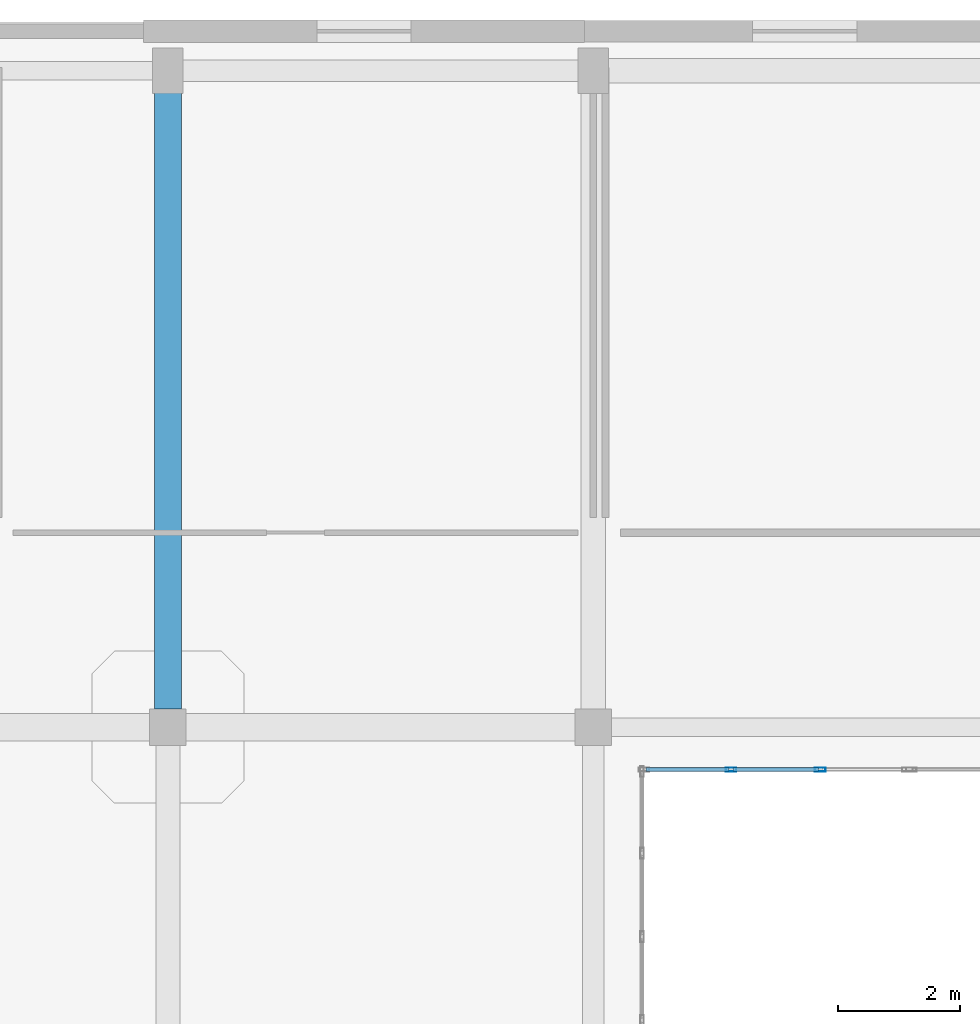
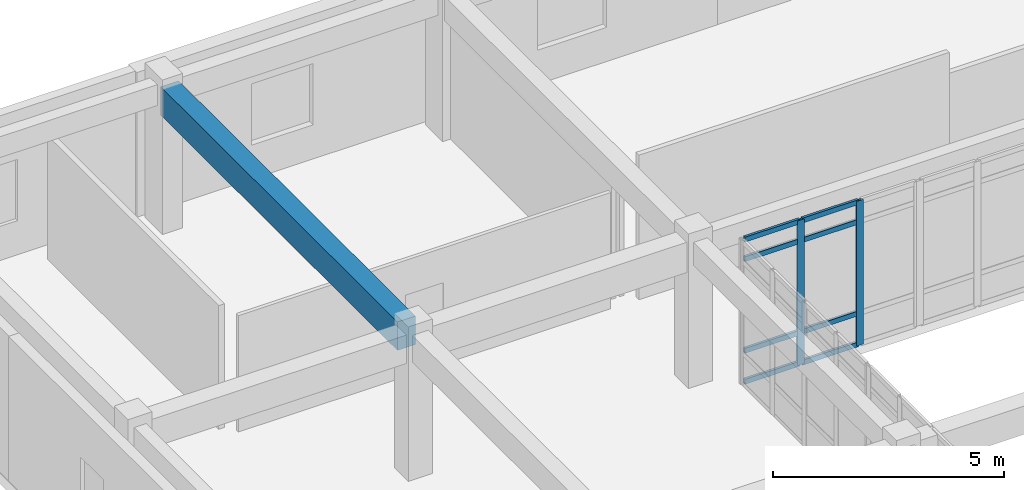
# One storey, part 101 of 146: 10 members, 1 beam, 1 element without a shape of its own.
"""IFC4 building model written with IfcOpenShell, lengths in metres."""

from ifc_helpers import new_model, si_unit, direction, frame, origin, origin_2d, place, context, subcontext, project, spatial, rectangle, hollow_rectangle, extrude, material, layer, layer_set, material_profile, profile_set, type_object, element, aggregate, save


model = new_model("IFC4")

# Units and contexts
model_context = context("Model", 3, precision=1e-05, world=origin(), true_north=direction((0.0, 1.0)))
body_context = subcontext(model_context, "Body", "Model", "MODEL_VIEW")
ifc_project = project(units=[si_unit("LENGTHUNIT", "METRE"), si_unit("AREAUNIT", "SQUARE_METRE"), si_unit("VOLUMEUNIT", "CUBIC_METRE"), si_unit("PLANEANGLEUNIT", "RADIAN"), si_unit("MASSUNIT", "GRAM", prefix="KILO")], contexts=[model_context])

# Site, building, storey
site_placement = place(None, origin())
site = spatial("IfcSite", under=ifc_project, at=site_placement, CompositionType="ELEMENT")
building_placement = place(site_placement, origin())
building = spatial("IfcBuilding", under=site, at=building_placement, Name="Valcora Specialist Clinic", CompositionType="ELEMENT")
storey_placement = place(building_placement, frame((0.0, 0.0, 9.52001953125)))
storey = spatial("IfcBuildingStorey", under=building, at=storey_placement, Name="L02", CompositionType="ELEMENT", Elevation=9.52001953125)

# Beam
ifc_material_1 = material(Name="Concrete C40/50", Category="concrete")
ifc_material_profile_1 = material_profile(ifc_material_1, rectangle(XDim=0.449951171875, YDim=0.75, at=origin_2d()), Name="RC-BM-450X750")
ifc_profile_set_1 = profile_set([ifc_material_profile_1], Name="Concrete C40/50")
beam_type = type_object("IfcBeamType", Name="TY-BM-RC450X750", PredefinedType="BEAM", material=ifc_profile_set_1)
beam_placement = place(storey_placement, frame((69.0, 99.5, 3.445068359375), z_axis=(0.0, 1.0, 0.0), x_axis=(-1.0, 0.0, 0.0)))
element("IfcBeam", 1, at=beam_placement, inside=storey, type_object=beam_type, Name="Beam BM-L02-0741", PredefinedType="BEAM", context=body_context, shape_type="SweptSolid", body=[
    extrude(rectangle(XDim=0.449951171875, YDim=0.75, at=origin_2d()), origin(), (0.0, 0.0, 1.0), 10.25),
])

# Curtain wall, members
ifc_material_2 = material(Name="Anodized Bronze Aluminium 6063-T6", Category="aluminium")
ifc_layer = layer(ifc_material_2, 0.175048828125)
ifc_layer_set = layer_set([ifc_layer], Name="Anodized Bronze Aluminium 6063-T6")
curtain_wall_type = type_object("IfcCurtainWallType", Name="TY-CW-CRT15", PredefinedType="NOTDEFINED", material=ifc_layer_set)
curtain_wall_placement = place(storey_placement, origin())
curtain_wall = element("IfcCurtainWall", 2, at=curtain_wall_placement, inside=storey, type_object=curtain_wall_type, Name="Curtain wall CW-L02-101", PredefinedType="NOTDEFINED")
ifc_material_profile_2 = material_profile(ifc_material_2, hollow_rectangle(XDim=0.06494140625, YDim=0.175048828125, WallThickness=0.00390625, at=origin_2d()), Name="AL-MUL-65X175")
ifc_profile_set_2 = profile_set([ifc_material_profile_2], Name="Anodized Bronze Aluminium 6063-T6")
member_type_1 = type_object("IfcMemberType", Name="TY-CWM-65X175", PredefinedType="MULLION", material=ifc_profile_set_2)
member_1_placement = place(storey_placement, frame((79.7333984375, 98.5, 0.0), z_axis=(0.0, 0.0, 1.0), x_axis=(0.0, -1.0, 0.0)))
member_1 = element("IfcMember", 3, at=member_1_placement, type_object=member_type_1, Name="CW-CRT-15 mullion 2", PredefinedType="MULLION", context=body_context, shape_type="SweptSolid", body=[
    extrude(hollow_rectangle(XDim=0.06494140625, YDim=0.175048828125, WallThickness=0.00390625, at=origin_2d()), origin(), (0.0, 0.0, 1.0), 3.820068359375),
])
member_2_placement = place(storey_placement, frame((78.2666015625, 98.5, 0.0), z_axis=(0.0, 0.0, 1.0), x_axis=(0.0, -1.0, 0.0)))
member_2 = element("IfcMember", 4, at=member_2_placement, type_object=member_type_1, Name="CW-CRT-15 mullion 3", PredefinedType="MULLION", context=body_context, shape_type="SweptSolid", body=[
    extrude(hollow_rectangle(XDim=0.06494140625, YDim=0.175048828125, WallThickness=0.00390625, at=origin_2d()), origin(), (0.0, 0.0, 1.0), 3.820068359375),
])
ifc_material_profile_3 = material_profile(ifc_material_2, hollow_rectangle(XDim=0.06494140625, YDim=0.1298828125, WallThickness=0.00390625, at=origin_2d()), Name="AL-TRN-65X130")
ifc_profile_set_3 = profile_set([ifc_material_profile_3], Name="Anodized Bronze Aluminium 6063-T6")
member_type_2 = type_object("IfcMemberType", Name="TY-CWT-65X130", PredefinedType="USERDEFINED", material=ifc_profile_set_3)
member_3_placement = place(storey_placement, frame((79.700927734375, 98.5, 0.032470703125), z_axis=(-1.0, 0.0, 0.0), x_axis=(0.0, -1.0, 0.0)))
member_3 = element("IfcMember", 5, at=member_3_placement, type_object=member_type_2, Name="CW-CRT-15 transom 2.1", ObjectType="TRANSOM", PredefinedType="USERDEFINED", context=body_context, shape_type="SweptSolid", body=[
    extrude(hollow_rectangle(XDim=0.06494140625, YDim=0.1298828125, WallThickness=0.00390625, at=origin_2d()), origin(), (0.0, 0.0, 1.0), 1.40185546875),
])
member_4_placement = place(storey_placement, frame((79.700927734375, 98.5, 0.85009765625), z_axis=(-1.0, 0.0, 0.0), x_axis=(0.0, -1.0, 0.0)))
member_4 = element("IfcMember", 6, at=member_4_placement, type_object=member_type_2, Name="CW-CRT-15 transom 2.2", ObjectType="TRANSOM", PredefinedType="USERDEFINED", context=body_context, shape_type="SweptSolid", body=[
    extrude(hollow_rectangle(XDim=0.06494140625, YDim=0.1298828125, WallThickness=0.00390625, at=origin_2d()), origin(), (0.0, 0.0, 1.0), 1.40185546875),
])
member_5_placement = place(storey_placement, frame((79.700927734375, 98.5, 3.27001953125), z_axis=(-1.0, 0.0, 0.0), x_axis=(0.0, -1.0, 0.0)))
member_5 = element("IfcMember", 7, at=member_5_placement, type_object=member_type_2, Name="CW-CRT-15 transom 2.3", ObjectType="TRANSOM", PredefinedType="USERDEFINED", context=body_context, shape_type="SweptSolid", body=[
    extrude(hollow_rectangle(XDim=0.06494140625, YDim=0.1298828125, WallThickness=0.00390625, at=origin_2d()), origin(), (0.0, 0.0, 1.0), 1.40185546875),
])
member_6_placement = place(storey_placement, frame((79.700927734375, 98.5, 3.78759765625), z_axis=(-1.0, 0.0, 0.0), x_axis=(0.0, -1.0, 0.0)))
member_6 = element("IfcMember", 8, at=member_6_placement, type_object=member_type_2, Name="CW-CRT-15 transom 2.4", ObjectType="TRANSOM", PredefinedType="USERDEFINED", context=body_context, shape_type="SweptSolid", body=[
    extrude(hollow_rectangle(XDim=0.06494140625, YDim=0.1298828125, WallThickness=0.00390625, at=origin_2d()), origin(), (0.0, 0.0, 1.0), 1.40185546875),
])
member_7_placement = place(storey_placement, frame((78.234130859375, 98.5, 0.032470703125), z_axis=(-1.0, 0.0, 0.0), x_axis=(0.0, -1.0, 0.0)))
member_7 = element("IfcMember", 9, at=member_7_placement, type_object=member_type_2, Name="CW-CRT-15 transom 3.1", ObjectType="TRANSOM", PredefinedType="USERDEFINED", context=body_context, shape_type="SweptSolid", body=[
    extrude(hollow_rectangle(XDim=0.06494140625, YDim=0.1298828125, WallThickness=0.00390625, at=origin_2d()), origin(), (0.0, 0.0, 1.0), 1.369140625),
])
member_8_placement = place(storey_placement, frame((78.234130859375, 98.5, 0.85009765625), z_axis=(-1.0, 0.0, 0.0), x_axis=(0.0, -1.0, 0.0)))
member_8 = element("IfcMember", 10, at=member_8_placement, type_object=member_type_2, Name="CW-CRT-15 transom 3.2", ObjectType="TRANSOM", PredefinedType="USERDEFINED", context=body_context, shape_type="SweptSolid", body=[
    extrude(hollow_rectangle(XDim=0.06494140625, YDim=0.1298828125, WallThickness=0.00390625, at=origin_2d()), origin(), (0.0, 0.0, 1.0), 1.369140625),
])
member_9_placement = place(storey_placement, frame((78.234130859375, 98.5, 3.27001953125), z_axis=(-1.0, 0.0, 0.0), x_axis=(0.0, -1.0, 0.0)))
member_9 = element("IfcMember", 11, at=member_9_placement, type_object=member_type_2, Name="CW-CRT-15 transom 3.3", ObjectType="TRANSOM", PredefinedType="USERDEFINED", context=body_context, shape_type="SweptSolid", body=[
    extrude(hollow_rectangle(XDim=0.06494140625, YDim=0.1298828125, WallThickness=0.00390625, at=origin_2d()), origin(), (0.0, 0.0, 1.0), 1.369140625),
])
member_10_placement = place(storey_placement, frame((78.234130859375, 98.5, 3.78759765625), z_axis=(-1.0, 0.0, 0.0), x_axis=(0.0, -1.0, 0.0)))
member_10 = element("IfcMember", 12, at=member_10_placement, type_object=member_type_2, Name="CW-CRT-15 transom 3.4", ObjectType="TRANSOM", PredefinedType="USERDEFINED", context=body_context, shape_type="SweptSolid", body=[
    extrude(hollow_rectangle(XDim=0.06494140625, YDim=0.1298828125, WallThickness=0.00390625, at=origin_2d()), origin(), (0.0, 0.0, 1.0), 1.369140625),
])
aggregate(curtain_wall, [member_1, member_2, member_3, member_4, member_5, member_6, member_7, member_8, member_9, member_10])

save(model, "model.ifc")
